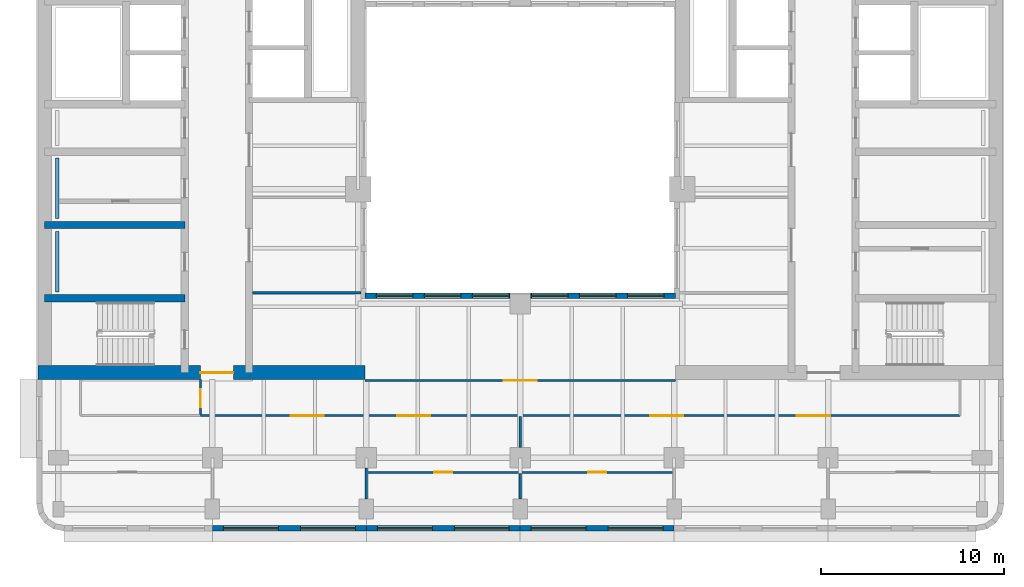
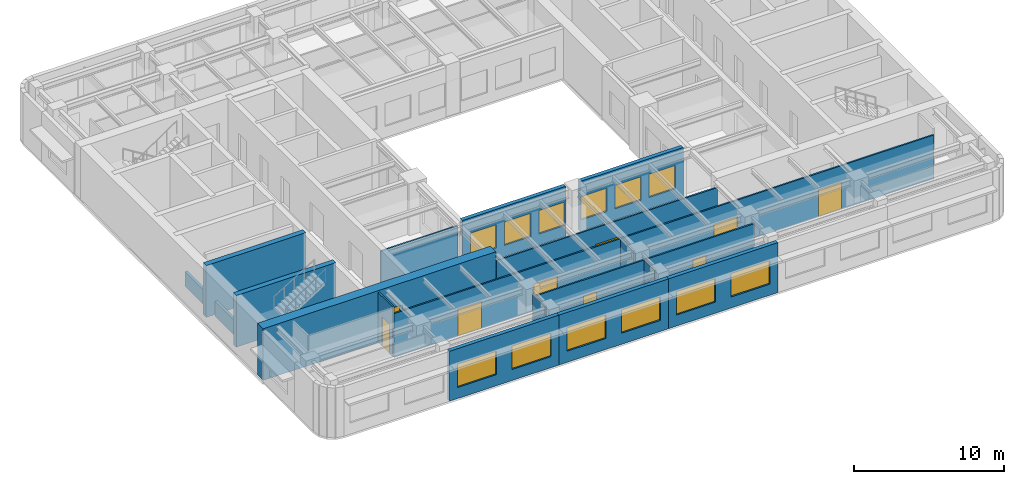
# One storey, part 3 of 11: 18 walls, 12 windows, 9 doors, 21 openings.
"""IFC4 building model written with IfcOpenShell, lengths in metres."""

from ifc_helpers import new_model, si_unit, direction, frame, frame_2d, origin, place, context, subcontext, project, spatial, rectangle, extrude, material, layer, layer_set, type_object, element, fill, save


model = new_model("IFC4")

# Units and contexts
model_context = context("Model", 3, precision=1e-05, world=origin(), true_north=direction((0.0, 1.0)))
body_context = subcontext(model_context, "Body", "Model", "MODEL_VIEW")
ifc_project = project(units=[si_unit("LENGTHUNIT", "METRE"), si_unit("AREAUNIT", "SQUARE_METRE"), si_unit("VOLUMEUNIT", "CUBIC_METRE"), si_unit("PLANEANGLEUNIT", "RADIAN"), si_unit("MASSUNIT", "GRAM", prefix="KILO")], contexts=[model_context])

# Site, building, storey
site_placement = place(None, origin())
site = spatial("IfcSite", under=ifc_project, at=site_placement, CompositionType="ELEMENT")
building_placement = place(site_placement, origin())
building = spatial("IfcBuilding", under=site, at=building_placement, Name="Claustro Exchange Tower", CompositionType="ELEMENT")
storey_placement = place(building_placement, frame((0.0, 0.0, 198.60009765625)))
storey = spatial("IfcBuildingStorey", under=building, at=storey_placement, Name="L45", CompositionType="ELEMENT", Elevation=198.60009765625)

# Wall
ifc_material_1 = material(Name="Laminated glass in aluminium frame", Category="aluminium")
ifc_layer_1 = layer(ifc_material_1, 0.1201171875)
ifc_layer_set_1 = layer_set([ifc_layer_1], Name="Laminated glass in aluminium frame")
wall_type_1 = type_object("IfcWallType", Name="P2 120 glazed partition", PredefinedType="PARTITIONING", material=ifc_layer_set_1)
wall_1_placement = place(storey_placement, frame((10.597900390625, 17.39990234375, 0.0), z_axis=(0.0, 0.0, 1.0), x_axis=(1.0, 0.0, 0.0)))
element("IfcWall", 1, at=wall_1_placement, inside=storey, type_object=wall_type_1, Name="Partition P2 L45", PredefinedType="PARTITIONING", context=body_context, shape_type="SweptSolid", body=[
    extrude(rectangle(XDim=5.904052734375, YDim=0.1201171875, at=frame_2d((2.9521484375, 0.0))), origin(), (0.0, 0.0, 1.0), 3.5498046875),
])

# Wall, openings, doors
wall_2_placement = place(storey_placement, frame((16.800048828125, 7.60009765625, 0.0), z_axis=(0.0, 0.0, 1.0), x_axis=(1.0, 0.0, 0.0)))
wall_2 = element("IfcWall", 2, at=wall_2_placement, inside=storey, type_object=wall_type_1, Name="Partition P2 L45", PredefinedType="PARTITIONING", context=body_context, shape_type="SweptSolid", body=[
    extrude(rectangle(XDim=16.800048828125, YDim=0.1201171875, at=frame_2d((8.39990234375, 0.0))), origin(), (0.0, 0.0, 1.0), 3.68994140625),
])
opening_1_placement = place(wall_2_placement, frame((3.699951171875, 0.0, 0.0)))
opening_1 = element("IfcOpeningElement", 3, at=opening_1_placement, cuts=wall_2, Name="Opening D7", PredefinedType="OPENING", context=body_context, shape_type="SweptSolid", body=[
    extrude(rectangle(XDim=1.0, YDim=2.39990234375, at=frame_2d((0.5, 1.199951171875))), frame((0.0, 0.070068359375, 0.0), z_axis=(0.0, -1.0, 0.0), x_axis=(1.0, 0.0, 0.0)), (0.0, 0.0, 1.0), 0.14013671875),
])
opening_2_placement = place(wall_2_placement, frame((12.10009765625, 0.0, 0.0)))
opening_2 = element("IfcOpeningElement", 4, at=opening_2_placement, cuts=wall_2, Name="Opening D7", PredefinedType="OPENING", context=body_context, shape_type="SweptSolid", body=[
    extrude(rectangle(XDim=1.0, YDim=2.39990234375, at=frame_2d((0.5, 1.199951171875))), frame((0.0, 0.070068359375, 0.0), z_axis=(0.0, -1.0, 0.0), x_axis=(1.0, 0.0, 0.0)), (0.0, 0.0, 1.0), 0.14013671875),
])
ifc_material_2 = material(Name="Glass door in aluminium frame", Category="aluminium")
door_type_1 = type_object("IfcDoorType", Name="D7 1000 x 2400 glazed door", OperationType="SINGLE_SWING_LEFT", PredefinedType="DOOR", material=ifc_material_2)
door_1_placement = place(opening_1_placement, frame((1.0, 0.0, 0.0), z_axis=(0.0, 0.0, 1.0), x_axis=(-1.0, 0.0, 0.0)))
door_1 = element("IfcDoor", 5, at=door_1_placement, inside=storey, type_object=door_type_1, Name="Door D7 L45", OperationType="SINGLE_SWING_LEFT", OverallHeight=2.39990234375, OverallWidth=1.0, PredefinedType="DOOR", context=body_context, shape_type="SweptSolid", body=[
    extrude(rectangle(XDim=1.0, YDim=2.39990234375, at=frame_2d((0.5, 1.199951171875))), frame((0.0, 0.02490234375, 0.0), z_axis=(0.0, -1.0, 0.0), x_axis=(1.0, 0.0, 0.0)), (0.0, 0.0, 1.0), 0.050048828125),
])
fill(opening_1, door_1)
door_2_placement = place(opening_2_placement, frame((1.0, 0.0, 0.0), z_axis=(0.0, 0.0, 1.0), x_axis=(-1.0, 0.0, 0.0)))
door_2 = element("IfcDoor", 6, at=door_2_placement, inside=storey, type_object=door_type_1, Name="Door D7 L45", OperationType="SINGLE_SWING_RIGHT", OverallHeight=2.39990234375, OverallWidth=1.0, PredefinedType="DOOR", context=body_context, shape_type="SweptSolid", body=[
    extrude(rectangle(XDim=1.0, YDim=2.39990234375, at=frame_2d((0.5, 1.199951171875))), frame((0.0, 0.02490234375, 0.0), z_axis=(0.0, -1.0, 0.0), x_axis=(1.0, 0.0, 0.0)), (0.0, 0.0, 1.0), 0.050048828125),
])
fill(opening_2, door_2)

# Walls
wall_3_placement = place(storey_placement, frame((16.800048828125, 6.14892578125, 0.0), z_axis=(0.0, 0.0, 1.0), x_axis=(0.0, 1.0, 0.0)))
element("IfcWall", 7, at=wall_3_placement, inside=storey, type_object=wall_type_1, Name="Partition P2 L45", PredefinedType="PARTITIONING", context=body_context, shape_type="SweptSolid", body=[
    extrude(rectangle(XDim=1.703125, YDim=0.1201171875, at=frame_2d((0.8515625, 0.0))), origin(), (0.0, 0.0, 1.0), 3.68994140625),
])
wall_4_placement = place(storey_placement, frame((25.199951171875, 6.14892578125, 0.0), z_axis=(0.0, 0.0, 1.0), x_axis=(0.0, 1.0, 0.0)))
element("IfcWall", 8, at=wall_4_placement, inside=storey, type_object=wall_type_1, Name="Partition P2 L45", PredefinedType="PARTITIONING", context=body_context, shape_type="SweptSolid", body=[
    extrude(rectangle(XDim=1.39306640625, YDim=0.1201171875, at=frame_2d((0.696533203125, 0.0))), origin(), (0.0, 0.0, 1.0), 3.68994140625),
])
wall_5_placement = place(storey_placement, frame((25.199951171875, 8.948974609375, 0.0), z_axis=(0.0, 0.0, 1.0), x_axis=(0.0, 1.0, 0.0)))
element("IfcWall", 9, at=wall_5_placement, inside=storey, type_object=wall_type_1, Name="Partition P2 L45", PredefinedType="PARTITIONING", context=body_context, shape_type="SweptSolid", body=[
    extrude(rectangle(XDim=1.693115234375, YDim=0.1201171875, at=frame_2d((0.8466796875, 0.0))), origin(), (0.0, 0.0, 1.0), 3.5498046875),
])

# Wall, openings, doors
wall_6_placement = place(storey_placement, frame((7.748046875, 10.699951171875, 0.0), z_axis=(0.0, 0.0, 1.0), x_axis=(1.0, 0.0, 0.0)))
wall_6 = element("IfcWall", 10, at=wall_6_placement, inside=storey, type_object=wall_type_1, Name="Partition P2 L45", PredefinedType="PARTITIONING", context=body_context, shape_type="SweptSolid", body=[
    extrude(rectangle(XDim=41.451904296875, YDim=0.1201171875, at=frame_2d((20.72607421875, 0.0))), origin(), (0.0, 0.0, 1.0), 3.5498046875),
])
opening_3_placement = place(wall_6_placement, frame((4.918701171875, 0.0, 0.0)))
opening_3 = element("IfcOpeningElement", 11, at=opening_3_placement, cuts=wall_6, Name="Opening D2", PredefinedType="OPENING", context=body_context, shape_type="SweptSolid", body=[
    extrude(rectangle(XDim=1.800048828125, YDim=2.199951171875, at=frame_2d((0.89990234375, 1.10009765625))), frame((0.0, 0.070068359375, 0.0), z_axis=(0.0, -1.0, 0.0), x_axis=(1.0, 0.0, 0.0)), (0.0, 0.0, 1.0), 0.14013671875),
])
opening_4_placement = place(wall_6_placement, frame((10.7353515625, 0.0, 0.0)))
opening_4 = element("IfcOpeningElement", 12, at=opening_4_placement, cuts=wall_6, Name="Opening D2", PredefinedType="OPENING", context=body_context, shape_type="SweptSolid", body=[
    extrude(rectangle(XDim=1.800048828125, YDim=2.199951171875, at=frame_2d((0.89990234375, 1.10009765625))), frame((0.0, 0.070068359375, 0.0), z_axis=(0.0, -1.0, 0.0), x_axis=(1.0, 0.0, 0.0)), (0.0, 0.0, 1.0), 0.14013671875),
])
opening_5_placement = place(wall_6_placement, frame((24.552001953125, 0.0, 0.0)))
opening_5 = element("IfcOpeningElement", 13, at=opening_5_placement, cuts=wall_6, Name="Opening D2", PredefinedType="OPENING", context=body_context, shape_type="SweptSolid", body=[
    extrude(rectangle(XDim=1.800048828125, YDim=2.199951171875, at=frame_2d((0.89990234375, 1.10009765625))), frame((0.0, 0.070068359375, 0.0), z_axis=(0.0, -1.0, 0.0), x_axis=(1.0, 0.0, 0.0)), (0.0, 0.0, 1.0), 0.14013671875),
])
opening_6_placement = place(wall_6_placement, frame((32.552001953125, 0.0, 0.0)))
opening_6 = element("IfcOpeningElement", 14, at=opening_6_placement, cuts=wall_6, Name="Opening D2", PredefinedType="OPENING", context=body_context, shape_type="SweptSolid", body=[
    extrude(rectangle(XDim=1.800048828125, YDim=2.199951171875, at=frame_2d((0.89990234375, 1.10009765625))), frame((0.0, 0.070068359375, 0.0), z_axis=(0.0, -1.0, 0.0), x_axis=(1.0, 0.0, 0.0)), (0.0, 0.0, 1.0), 0.14013671875),
])
ifc_material_3 = material(Name="Timber door, oak veneer", Category="wood")
door_type_2 = type_object("IfcDoorType", Name="D2 1800 x 2200 double door", OperationType="DOUBLE_DOOR_SINGLE_SWING", PredefinedType="DOOR", material=ifc_material_3)
door_3_placement = place(opening_3_placement, frame((1.800048828125, 0.0, 0.0), z_axis=(0.0, 0.0, 1.0), x_axis=(-1.0, 0.0, 0.0)))
door_3 = element("IfcDoor", 15, at=door_3_placement, inside=storey, type_object=door_type_2, Name="Double door D2 L45", OperationType="DOUBLE_DOOR_SINGLE_SWING", OverallHeight=2.199951171875, OverallWidth=1.800048828125, PredefinedType="DOOR", context=body_context, shape_type="SweptSolid", body=[
    extrude(rectangle(XDim=1.800048828125, YDim=2.199951171875, at=frame_2d((0.89990234375, 1.10009765625))), frame((0.0, 0.02490234375, 0.0), z_axis=(0.0, -1.0, 0.0), x_axis=(1.0, 0.0, 0.0)), (0.0, 0.0, 1.0), 0.050048828125),
])
fill(opening_3, door_3)
door_4_placement = place(opening_4_placement, frame((1.800048828125, 0.0, 0.0), z_axis=(0.0, 0.0, 1.0), x_axis=(-1.0, 0.0, 0.0)))
door_4 = element("IfcDoor", 16, at=door_4_placement, inside=storey, type_object=door_type_2, Name="Double door D2 L45", OperationType="DOUBLE_DOOR_SINGLE_SWING", OverallHeight=2.199951171875, OverallWidth=1.800048828125, PredefinedType="DOOR", context=body_context, shape_type="SweptSolid", body=[
    extrude(rectangle(XDim=1.800048828125, YDim=2.199951171875, at=frame_2d((0.89990234375, 1.10009765625))), frame((0.0, 0.02490234375, 0.0), z_axis=(0.0, -1.0, 0.0), x_axis=(1.0, 0.0, 0.0)), (0.0, 0.0, 1.0), 0.050048828125),
])
fill(opening_4, door_4)
door_5_placement = place(opening_5_placement, frame((1.800048828125, 0.0, 0.0), z_axis=(0.0, 0.0, 1.0), x_axis=(-1.0, 0.0, 0.0)))
door_5 = element("IfcDoor", 17, at=door_5_placement, inside=storey, type_object=door_type_2, Name="Double door D2 L45", OperationType="DOUBLE_DOOR_SINGLE_SWING", OverallHeight=2.199951171875, OverallWidth=1.800048828125, PredefinedType="DOOR", context=body_context, shape_type="SweptSolid", body=[
    extrude(rectangle(XDim=1.800048828125, YDim=2.199951171875, at=frame_2d((0.89990234375, 1.10009765625))), frame((0.0, 0.02490234375, 0.0), z_axis=(0.0, -1.0, 0.0), x_axis=(1.0, 0.0, 0.0)), (0.0, 0.0, 1.0), 0.050048828125),
])
fill(opening_5, door_5)
door_6_placement = place(opening_6_placement, frame((1.800048828125, 0.0, 0.0), z_axis=(0.0, 0.0, 1.0), x_axis=(-1.0, 0.0, 0.0)))
door_6 = element("IfcDoor", 18, at=door_6_placement, inside=storey, type_object=door_type_2, Name="Double door D2 L45", OperationType="DOUBLE_DOOR_SINGLE_SWING", OverallHeight=2.199951171875, OverallWidth=1.800048828125, PredefinedType="DOOR", context=body_context, shape_type="SweptSolid", body=[
    extrude(rectangle(XDim=1.800048828125, YDim=2.199951171875, at=frame_2d((0.89990234375, 1.10009765625))), frame((0.0, 0.02490234375, 0.0), z_axis=(0.0, -1.0, 0.0), x_axis=(1.0, 0.0, 0.0)), (0.0, 0.0, 1.0), 0.050048828125),
])
fill(opening_6, door_6)

# Wall, opening, door
wall_7_placement = place(storey_placement, frame((7.75, 10.758056640625, 0.0), z_axis=(0.0, 0.0, 1.0), x_axis=(0.0, 1.0, 0.0)))
wall_7 = element("IfcWall", 19, at=wall_7_placement, inside=storey, type_object=wall_type_1, Name="Partition P2 L45", PredefinedType="PARTITIONING", context=body_context, shape_type="SweptSolid", body=[
    extrude(rectangle(XDim=1.91796875, YDim=0.1201171875, at=frame_2d((0.958984375, 0.0))), origin(), (0.0, 0.0, 1.0), 4.0498046875),
])
opening_7_placement = place(wall_7_placement, frame((0.39208984375, 0.0, 0.0)))
opening_7 = element("IfcOpeningElement", 20, at=opening_7_placement, cuts=wall_7, Name="Opening D7", PredefinedType="OPENING", context=body_context, shape_type="SweptSolid", body=[
    extrude(rectangle(XDim=1.0, YDim=2.39990234375, at=frame_2d((0.5, 1.199951171875))), frame((0.0, 0.070068359375, 0.0), z_axis=(0.0, -1.0, 0.0), x_axis=(1.0, 0.0, 0.0)), (0.0, 0.0, 1.0), 0.14013671875),
])
door_7_placement = place(opening_7_placement, origin())
door_7 = element("IfcDoor", 21, at=door_7_placement, inside=storey, type_object=door_type_1, Name="Door D7 L45", OperationType="SINGLE_SWING_LEFT", OverallHeight=2.39990234375, OverallWidth=1.0, PredefinedType="DOOR", context=body_context, shape_type="SweptSolid", body=[
    extrude(rectangle(XDim=1.0, YDim=2.39990234375, at=frame_2d((0.5, 1.199951171875))), frame((0.0, 0.02490234375, 0.0), z_axis=(0.0, -1.0, 0.0), x_axis=(1.0, 0.0, 0.0)), (0.0, 0.0, 1.0), 0.050048828125),
])
fill(opening_7, door_7)

wall_8_placement = place(storey_placement, frame((16.72509765625, 12.614990234375, 0.0), z_axis=(0.0, 0.0, 1.0), x_axis=(1.0, 0.0, 0.0)))
wall_8 = element("IfcWall", 22, at=wall_8_placement, inside=storey, type_object=wall_type_1, Name="Partition P2 L45", PredefinedType="PARTITIONING", context=body_context, shape_type="SweptSolid", body=[
    extrude(rectangle(XDim=16.949951171875, YDim=0.1201171875, at=frame_2d((8.47509765625, 0.0))), origin(), (0.0, 0.0, 1.0), 3.5498046875),
])
opening_8_placement = place(wall_8_placement, frame((7.574951171875, 0.0, 0.0)))
opening_8 = element("IfcOpeningElement", 23, at=opening_8_placement, cuts=wall_8, Name="Opening D2", PredefinedType="OPENING", context=body_context, shape_type="SweptSolid", body=[
    extrude(rectangle(XDim=1.800048828125, YDim=2.199951171875, at=frame_2d((0.89990234375, 1.10009765625))), frame((0.0, 0.070068359375, 0.0), z_axis=(0.0, -1.0, 0.0), x_axis=(1.0, 0.0, 0.0)), (0.0, 0.0, 1.0), 0.14013671875),
])
door_8_placement = place(opening_8_placement, origin())
door_8 = element("IfcDoor", 24, at=door_8_placement, inside=storey, type_object=door_type_2, Name="Double door D2 L45", OperationType="DOUBLE_DOOR_SINGLE_SWING", OverallHeight=2.199951171875, OverallWidth=1.800048828125, PredefinedType="DOOR", context=body_context, shape_type="SweptSolid", body=[
    extrude(rectangle(XDim=1.800048828125, YDim=2.199951171875, at=frame_2d((0.89990234375, 1.10009765625))), frame((0.0, 0.02490234375, 0.0), z_axis=(0.0, -1.0, 0.0), x_axis=(1.0, 0.0, 0.0)), (0.0, 0.0, 1.0), 0.050048828125),
])
fill(opening_8, door_8)

# Wall, openings, windows
ifc_material_4 = material(Name="Concrete HA-40 (C40/50), precast, white cement, acid-etched", Category="concrete")
ifc_layer_2 = layer(ifc_material_4, 0.300048828125)
ifc_layer_set_2 = layer_set([ifc_layer_2], Name="Concrete HA-40 (C40/50), precast, white cement, acid-etched")
wall_type_2 = type_object("IfcWallType", Name="PC1 300 precast concrete pier panel", PredefinedType="SOLIDWALL", material=ifc_layer_set_2)
wall_9_placement = place(storey_placement, frame((33.60009765625, 4.550048828125, 0.0), z_axis=(0.0, 0.0, 1.0), x_axis=(-1.0, 0.0, 0.0)))
wall_9 = element("IfcWall", 25, at=wall_9_placement, inside=storey, type_object=wall_type_2, Name="Precast pier panel PC1 L45", PredefinedType="SOLIDWALL", context=body_context, shape_type="SweptSolid", body=[
    extrude(rectangle(XDim=8.400146484375, YDim=0.300048828125, at=frame_2d((4.2001953125, 0.0))), origin(), (0.0, 0.0, 1.0), 4.0498046875),
])
opening_9_placement = place(wall_9_placement, frame((0.60009765625, 0.0, 0.89990234375)))
opening_9 = element("IfcOpeningElement", 26, at=opening_9_placement, cuts=wall_9, Name="Opening W1", PredefinedType="OPENING", context=body_context, shape_type="SweptSolid", body=[
    extrude(rectangle(XDim=3.0, YDim=1.89990234375, at=frame_2d((1.5, 0.949951171875))), frame((0.0, 0.159912109375, 0.0), z_axis=(0.0, -1.0, 0.0), x_axis=(1.0, 0.0, 0.0)), (0.0, 0.0, 1.0), 0.320068359375),
])
opening_10_placement = place(wall_9_placement, frame((4.800048828125, 0.0, 0.89990234375)))
opening_10 = element("IfcOpeningElement", 27, at=opening_10_placement, cuts=wall_9, Name="Opening W1", PredefinedType="OPENING", context=body_context, shape_type="SweptSolid", body=[
    extrude(rectangle(XDim=3.0, YDim=1.89990234375, at=frame_2d((1.5, 0.949951171875))), frame((0.0, 0.159912109375, 0.0), z_axis=(0.0, -1.0, 0.0), x_axis=(1.0, 0.0, 0.0)), (0.0, 0.0, 1.0), 0.320068359375),
])
ifc_material_5 = material(Name="Aluminium frame, clear double glazing", Category="aluminium")
window_type_1 = type_object("IfcWindowType", Name="W1 3000 x 1900 window", PartitioningType="SINGLE_PANEL", PredefinedType="WINDOW", material=ifc_material_5)
window_1_placement = place(opening_9_placement, origin())
window_1 = element("IfcWindow", 28, at=window_1_placement, inside=storey, type_object=window_type_1, Name="Window W1 L45", OverallHeight=1.89990234375, OverallWidth=3.0, PartitioningType="SINGLE_PANEL", PredefinedType="WINDOW", context=body_context, shape_type="SweptSolid", body=[
    extrude(rectangle(XDim=3.0, YDim=1.89990234375, at=frame_2d((1.5, 0.949951171875))), frame((0.0, 0.030029296875, 0.0), z_axis=(0.0, -1.0, 0.0), x_axis=(1.0, 0.0, 0.0)), (0.0, 0.0, 1.0), 0.06005859375),
])
fill(opening_9, window_1)
window_2_placement = place(opening_10_placement, origin())
window_2 = element("IfcWindow", 29, at=window_2_placement, inside=storey, type_object=window_type_1, Name="Window W1 L45", OverallHeight=1.89990234375, OverallWidth=3.0, PartitioningType="SINGLE_PANEL", PredefinedType="WINDOW", context=body_context, shape_type="SweptSolid", body=[
    extrude(rectangle(XDim=3.0, YDim=1.89990234375, at=frame_2d((1.5, 0.949951171875))), frame((0.0, 0.030029296875, 0.0), z_axis=(0.0, -1.0, 0.0), x_axis=(1.0, 0.0, 0.0)), (0.0, 0.0, 1.0), 0.06005859375),
])
fill(opening_10, window_2)

wall_10_placement = place(storey_placement, frame((25.199951171875, 4.550048828125, 0.0), z_axis=(0.0, 0.0, 1.0), x_axis=(-1.0, 0.0, 0.0)))
wall_10 = element("IfcWall", 30, at=wall_10_placement, inside=storey, type_object=wall_type_2, Name="Precast pier panel PC1 L45", PredefinedType="SOLIDWALL", context=body_context, shape_type="SweptSolid", body=[
    extrude(rectangle(XDim=8.39990234375, YDim=0.300048828125, at=frame_2d((4.199951171875, 0.0))), origin(), (0.0, 0.0, 1.0), 4.0498046875),
])
opening_11_placement = place(wall_10_placement, frame((0.60009765625, 0.0, 0.89990234375)))
opening_11 = element("IfcOpeningElement", 31, at=opening_11_placement, cuts=wall_10, Name="Opening W1", PredefinedType="OPENING", context=body_context, shape_type="SweptSolid", body=[
    extrude(rectangle(XDim=3.0, YDim=1.89990234375, at=frame_2d((1.5, 0.949951171875))), frame((0.0, 0.159912109375, 0.0), z_axis=(0.0, -1.0, 0.0), x_axis=(1.0, 0.0, 0.0)), (0.0, 0.0, 1.0), 0.320068359375),
])
opening_12_placement = place(wall_10_placement, frame((4.800048828125, 0.0, 0.89990234375)))
opening_12 = element("IfcOpeningElement", 32, at=opening_12_placement, cuts=wall_10, Name="Opening W1", PredefinedType="OPENING", context=body_context, shape_type="SweptSolid", body=[
    extrude(rectangle(XDim=3.0, YDim=1.89990234375, at=frame_2d((1.5, 0.949951171875))), frame((0.0, 0.159912109375, 0.0), z_axis=(0.0, -1.0, 0.0), x_axis=(1.0, 0.0, 0.0)), (0.0, 0.0, 1.0), 0.320068359375),
])
window_3_placement = place(opening_11_placement, origin())
window_3 = element("IfcWindow", 33, at=window_3_placement, inside=storey, type_object=window_type_1, Name="Window W1 L45", OverallHeight=1.89990234375, OverallWidth=3.0, PartitioningType="SINGLE_PANEL", PredefinedType="WINDOW", context=body_context, shape_type="SweptSolid", body=[
    extrude(rectangle(XDim=3.0, YDim=1.89990234375, at=frame_2d((1.5, 0.949951171875))), frame((0.0, 0.030029296875, 0.0), z_axis=(0.0, -1.0, 0.0), x_axis=(1.0, 0.0, 0.0)), (0.0, 0.0, 1.0), 0.06005859375),
])
fill(opening_11, window_3)
window_4_placement = place(opening_12_placement, origin())
window_4 = element("IfcWindow", 34, at=window_4_placement, inside=storey, type_object=window_type_1, Name="Window W1 L45", OverallHeight=1.89990234375, OverallWidth=3.0, PartitioningType="SINGLE_PANEL", PredefinedType="WINDOW", context=body_context, shape_type="SweptSolid", body=[
    extrude(rectangle(XDim=3.0, YDim=1.89990234375, at=frame_2d((1.5, 0.949951171875))), frame((0.0, 0.030029296875, 0.0), z_axis=(0.0, -1.0, 0.0), x_axis=(1.0, 0.0, 0.0)), (0.0, 0.0, 1.0), 0.06005859375),
])
fill(opening_12, window_4)

wall_11_placement = place(storey_placement, frame((16.800048828125, 4.550048828125, 0.0), z_axis=(0.0, 0.0, 1.0), x_axis=(-1.0, 0.0, 0.0)))
wall_11 = element("IfcWall", 35, at=wall_11_placement, inside=storey, type_object=wall_type_2, Name="Precast pier panel PC1 L45", PredefinedType="SOLIDWALL", context=body_context, shape_type="SweptSolid", body=[
    extrude(rectangle(XDim=8.400146484375, YDim=0.300048828125, at=frame_2d((4.2001953125, 0.0))), origin(), (0.0, 0.0, 1.0), 4.0498046875),
])
opening_13_placement = place(wall_11_placement, frame((0.60009765625, 0.0, 0.89990234375)))
opening_13 = element("IfcOpeningElement", 36, at=opening_13_placement, cuts=wall_11, Name="Opening W1", PredefinedType="OPENING", context=body_context, shape_type="SweptSolid", body=[
    extrude(rectangle(XDim=3.0, YDim=1.89990234375, at=frame_2d((1.5, 0.949951171875))), frame((0.0, 0.159912109375, 0.0), z_axis=(0.0, -1.0, 0.0), x_axis=(1.0, 0.0, 0.0)), (0.0, 0.0, 1.0), 0.320068359375),
])
opening_14_placement = place(wall_11_placement, frame((4.800048828125, 0.0, 0.89990234375)))
opening_14 = element("IfcOpeningElement", 37, at=opening_14_placement, cuts=wall_11, Name="Opening W1", PredefinedType="OPENING", context=body_context, shape_type="SweptSolid", body=[
    extrude(rectangle(XDim=3.0, YDim=1.89990234375, at=frame_2d((1.5, 0.949951171875))), frame((0.0, 0.159912109375, 0.0), z_axis=(0.0, -1.0, 0.0), x_axis=(1.0, 0.0, 0.0)), (0.0, 0.0, 1.0), 0.320068359375),
])
window_5_placement = place(opening_13_placement, origin())
window_5 = element("IfcWindow", 38, at=window_5_placement, inside=storey, type_object=window_type_1, Name="Window W1 L45", OverallHeight=1.89990234375, OverallWidth=3.0, PartitioningType="SINGLE_PANEL", PredefinedType="WINDOW", context=body_context, shape_type="SweptSolid", body=[
    extrude(rectangle(XDim=3.0, YDim=1.89990234375, at=frame_2d((1.5, 0.949951171875))), frame((0.0, 0.030029296875, 0.0), z_axis=(0.0, -1.0, 0.0), x_axis=(1.0, 0.0, 0.0)), (0.0, 0.0, 1.0), 0.06005859375),
])
fill(opening_13, window_5)
window_6_placement = place(opening_14_placement, origin())
window_6 = element("IfcWindow", 39, at=window_6_placement, inside=storey, type_object=window_type_1, Name="Window W1 L45", OverallHeight=1.89990234375, OverallWidth=3.0, PartitioningType="SINGLE_PANEL", PredefinedType="WINDOW", context=body_context, shape_type="SweptSolid", body=[
    extrude(rectangle(XDim=3.0, YDim=1.89990234375, at=frame_2d((1.5, 0.949951171875))), frame((0.0, 0.030029296875, 0.0), z_axis=(0.0, -1.0, 0.0), x_axis=(1.0, 0.0, 0.0)), (0.0, 0.0, 1.0), 0.06005859375),
])
fill(opening_14, window_6)

wall_12_placement = place(storey_placement, frame((16.72509765625, 17.25, 0.0), z_axis=(0.0, 0.0, 1.0), x_axis=(1.0, 0.0, 0.0)))
wall_12 = element("IfcWall", 40, at=wall_12_placement, inside=storey, type_object=wall_type_2, Name="Precast pier panel PC1 L45", PredefinedType="SOLIDWALL", context=body_context, shape_type="SweptSolid", body=[
    extrude(rectangle(XDim=7.9248046875, YDim=0.300048828125, at=frame_2d((3.96240234375, 0.0))), origin(), (0.0, 0.0, 1.0), 4.0498046875),
])
opening_15_placement = place(wall_12_placement, frame((0.61865234375, 0.0, 0.89990234375)))
opening_15 = element("IfcOpeningElement", 41, at=opening_15_placement, cuts=wall_12, Name="Opening W4", PredefinedType="OPENING", context=body_context, shape_type="SweptSolid", body=[
    extrude(rectangle(XDim=2.0, YDim=1.89990234375, at=frame_2d((1.0, 0.949951171875))), frame((0.0, 0.159912109375, 0.0), z_axis=(0.0, -1.0, 0.0), x_axis=(1.0, 0.0, 0.0)), (0.0, 0.0, 1.0), 0.320068359375),
])
opening_16_placement = place(wall_12_placement, frame((3.237548828125, 0.0, 0.89990234375)))
opening_16 = element("IfcOpeningElement", 42, at=opening_16_placement, cuts=wall_12, Name="Opening W4", PredefinedType="OPENING", context=body_context, shape_type="SweptSolid", body=[
    extrude(rectangle(XDim=2.0, YDim=1.89990234375, at=frame_2d((1.0, 0.949951171875))), frame((0.0, 0.159912109375, 0.0), z_axis=(0.0, -1.0, 0.0), x_axis=(1.0, 0.0, 0.0)), (0.0, 0.0, 1.0), 0.320068359375),
])
opening_17_placement = place(wall_12_placement, frame((5.856201171875, 0.0, 0.89990234375)))
opening_17 = element("IfcOpeningElement", 43, at=opening_17_placement, cuts=wall_12, Name="Opening W4", PredefinedType="OPENING", context=body_context, shape_type="SweptSolid", body=[
    extrude(rectangle(XDim=2.0, YDim=1.89990234375, at=frame_2d((1.0, 0.949951171875))), frame((0.0, 0.159912109375, 0.0), z_axis=(0.0, -1.0, 0.0), x_axis=(1.0, 0.0, 0.0)), (0.0, 0.0, 1.0), 0.320068359375),
])
ifc_material_6 = material(Name="Aluminium frame, clear double glazing", Category="aluminium")
window_type_2 = type_object("IfcWindowType", Name="W4 2000 x 1900 light well window", PartitioningType="SINGLE_PANEL", PredefinedType="WINDOW", material=ifc_material_6)
window_7_placement = place(opening_15_placement, origin())
window_7 = element("IfcWindow", 44, at=window_7_placement, inside=storey, type_object=window_type_2, Name="Window W4 L45", OverallHeight=1.89990234375, OverallWidth=2.0, PartitioningType="SINGLE_PANEL", PredefinedType="WINDOW", context=body_context, shape_type="SweptSolid", body=[
    extrude(rectangle(XDim=2.0, YDim=1.89990234375, at=frame_2d((1.0, 0.949951171875))), frame((0.0, 0.030029296875, 0.0), z_axis=(0.0, -1.0, 0.0), x_axis=(1.0, 0.0, 0.0)), (0.0, 0.0, 1.0), 0.06005859375),
])
fill(opening_15, window_7)
window_8_placement = place(opening_16_placement, origin())
window_8 = element("IfcWindow", 45, at=window_8_placement, inside=storey, type_object=window_type_2, Name="Window W4 L45", OverallHeight=1.89990234375, OverallWidth=2.0, PartitioningType="SINGLE_PANEL", PredefinedType="WINDOW", context=body_context, shape_type="SweptSolid", body=[
    extrude(rectangle(XDim=2.0, YDim=1.89990234375, at=frame_2d((1.0, 0.949951171875))), frame((0.0, 0.030029296875, 0.0), z_axis=(0.0, -1.0, 0.0), x_axis=(1.0, 0.0, 0.0)), (0.0, 0.0, 1.0), 0.06005859375),
])
fill(opening_16, window_8)
window_9_placement = place(opening_17_placement, origin())
window_9 = element("IfcWindow", 46, at=window_9_placement, inside=storey, type_object=window_type_2, Name="Window W4 L45", OverallHeight=1.89990234375, OverallWidth=2.0, PartitioningType="SINGLE_PANEL", PredefinedType="WINDOW", context=body_context, shape_type="SweptSolid", body=[
    extrude(rectangle(XDim=2.0, YDim=1.89990234375, at=frame_2d((1.0, 0.949951171875))), frame((0.0, 0.030029296875, 0.0), z_axis=(0.0, -1.0, 0.0), x_axis=(1.0, 0.0, 0.0)), (0.0, 0.0, 1.0), 0.06005859375),
])
fill(opening_17, window_9)

wall_13_placement = place(storey_placement, frame((25.75, 17.25, 0.0), z_axis=(0.0, 0.0, 1.0), x_axis=(1.0, 0.0, 0.0)))
wall_13 = element("IfcWall", 47, at=wall_13_placement, inside=storey, type_object=wall_type_2, Name="Precast pier panel PC1 L45", PredefinedType="SOLIDWALL", context=body_context, shape_type="SweptSolid", body=[
    extrude(rectangle(XDim=7.925048828125, YDim=0.300048828125, at=frame_2d((3.96240234375, 0.0))), origin(), (0.0, 0.0, 1.0), 4.0498046875),
])
opening_18_placement = place(wall_13_placement, frame((0.068603515625, 0.0, 0.89990234375)))
opening_18 = element("IfcOpeningElement", 48, at=opening_18_placement, cuts=wall_13, Name="Opening W4", PredefinedType="OPENING", context=body_context, shape_type="SweptSolid", body=[
    extrude(rectangle(XDim=2.0, YDim=1.89990234375, at=frame_2d((1.0, 0.949951171875))), frame((0.0, 0.159912109375, 0.0), z_axis=(0.0, -1.0, 0.0), x_axis=(1.0, 0.0, 0.0)), (0.0, 0.0, 1.0), 0.320068359375),
])
opening_19_placement = place(wall_13_placement, frame((2.6875, 0.0, 0.89990234375)))
opening_19 = element("IfcOpeningElement", 49, at=opening_19_placement, cuts=wall_13, Name="Opening W4", PredefinedType="OPENING", context=body_context, shape_type="SweptSolid", body=[
    extrude(rectangle(XDim=2.0, YDim=1.89990234375, at=frame_2d((1.0, 0.949951171875))), frame((0.0, 0.159912109375, 0.0), z_axis=(0.0, -1.0, 0.0), x_axis=(1.0, 0.0, 0.0)), (0.0, 0.0, 1.0), 0.320068359375),
])
opening_20_placement = place(wall_13_placement, frame((5.30615234375, 0.0, 0.89990234375)))
opening_20 = element("IfcOpeningElement", 50, at=opening_20_placement, cuts=wall_13, Name="Opening W4", PredefinedType="OPENING", context=body_context, shape_type="SweptSolid", body=[
    extrude(rectangle(XDim=2.0, YDim=1.89990234375, at=frame_2d((1.0, 0.949951171875))), frame((0.0, 0.159912109375, 0.0), z_axis=(0.0, -1.0, 0.0), x_axis=(1.0, 0.0, 0.0)), (0.0, 0.0, 1.0), 0.320068359375),
])
window_10_placement = place(opening_18_placement, origin())
window_10 = element("IfcWindow", 51, at=window_10_placement, inside=storey, type_object=window_type_2, Name="Window W4 L45", OverallHeight=1.89990234375, OverallWidth=2.0, PartitioningType="SINGLE_PANEL", PredefinedType="WINDOW", context=body_context, shape_type="SweptSolid", body=[
    extrude(rectangle(XDim=2.0, YDim=1.89990234375, at=frame_2d((1.0, 0.949951171875))), frame((0.0, 0.030029296875, 0.0), z_axis=(0.0, -1.0, 0.0), x_axis=(1.0, 0.0, 0.0)), (0.0, 0.0, 1.0), 0.06005859375),
])
fill(opening_18, window_10)
window_11_placement = place(opening_19_placement, origin())
window_11 = element("IfcWindow", 52, at=window_11_placement, inside=storey, type_object=window_type_2, Name="Window W4 L45", OverallHeight=1.89990234375, OverallWidth=2.0, PartitioningType="SINGLE_PANEL", PredefinedType="WINDOW", context=body_context, shape_type="SweptSolid", body=[
    extrude(rectangle(XDim=2.0, YDim=1.89990234375, at=frame_2d((1.0, 0.949951171875))), frame((0.0, 0.030029296875, 0.0), z_axis=(0.0, -1.0, 0.0), x_axis=(1.0, 0.0, 0.0)), (0.0, 0.0, 1.0), 0.06005859375),
])
fill(opening_19, window_11)
window_12_placement = place(opening_20_placement, origin())
window_12 = element("IfcWindow", 53, at=window_12_placement, inside=storey, type_object=window_type_2, Name="Window W4 L45", OverallHeight=1.89990234375, OverallWidth=2.0, PartitioningType="SINGLE_PANEL", PredefinedType="WINDOW", context=body_context, shape_type="SweptSolid", body=[
    extrude(rectangle(XDim=2.0, YDim=1.89990234375, at=frame_2d((1.0, 0.949951171875))), frame((0.0, 0.030029296875, 0.0), z_axis=(0.0, -1.0, 0.0), x_axis=(1.0, 0.0, 0.0)), (0.0, 0.0, 1.0), 0.06005859375),
])
fill(opening_20, window_12)

# Walls
ifc_material_7 = material(Name="Gypsum board on steel studs, tiled", Category="steel")
ifc_layer_3 = layer(ifc_material_7, 0.199951171875)
ifc_layer_set_3 = layer_set([ifc_layer_3], Name="Gypsum board on steel studs, tiled")
wall_type_3 = type_object("IfcWallType", Name="PW1 200 WC duct wall", PredefinedType="PLUMBINGWALL", material=ifc_layer_set_3)
for number, where, z_axis, x_axis, name in (
    (54, (-0.074951171875, 17.449951171875, 0.0), (0.0, 0.0, 1.0), (0.0, 1.0, 0.0), "WC duct wall PW1 L45"),
    (55, (-0.074951171875, 21.449951171875, 0.0), (0.0, 0.0, 1.0), (0.0, 1.0, 0.0), "WC duct wall PW1 L45"),
):
    element("IfcWall", number, at=place(storey_placement, frame(where, z_axis=z_axis, x_axis=x_axis)), inside=storey, type_object=wall_type_3, Name=name, PredefinedType="PLUMBINGWALL", context=body_context, shape_type="SweptSolid", body=[
        extrude(rectangle(XDim=3.300048828125, YDim=0.199951171875, at=frame_2d((1.64990234375, 0.0))), origin(), (0.0, 0.0, 1.0), 1.199951171875),
    ])

# Wall, opening, door
ifc_material_8 = material(Name="Concrete HA-70 (C70/85)", Category="concrete")
ifc_layer_4 = layer(ifc_material_8, 0.75)
ifc_layer_set_4 = layer_set([ifc_layer_4], Name="Concrete HA-70 (C70/85)")
wall_type_4 = type_object("IfcWallType", Name="SW2 750 core shear wall", PredefinedType="SHEAR", material=ifc_layer_set_4)
wall_14_placement = place(storey_placement, frame((-1.125, 13.050048828125, 0.0), z_axis=(0.0, 0.0, 1.0), x_axis=(1.0, 0.0, 0.0)))
wall_14 = element("IfcWall", 56, at=wall_14_placement, inside=storey, type_object=wall_type_4, Name="Core wall SW2 W core S face L45", PredefinedType="SHEAR", context=body_context, shape_type="SweptSolid", body=[
    extrude(rectangle(XDim=17.85009765625, YDim=0.75, at=frame_2d((8.925048828125, 0.0))), origin(), (0.0, 0.0, 1.0), 4.199951171875),
])
opening_21_placement = place(wall_14_placement, frame((8.875, 0.0, 0.0)))
opening_21 = element("IfcOpeningElement", 57, at=opening_21_placement, cuts=wall_14, Name="Opening D3", PredefinedType="OPENING", context=body_context, shape_type="SweptSolid", body=[
    extrude(rectangle(XDim=1.800048828125, YDim=2.39990234375, at=frame_2d((0.89990234375, 1.199951171875))), frame((0.0, 0.385009765625, 0.0), z_axis=(0.0, -1.0, 0.0), x_axis=(1.0, 0.0, 0.0)), (0.0, 0.0, 1.0), 0.77001953125),
])
ifc_material_9 = material(Name="Steel fire door, painted", Category="steel")
door_type_3 = type_object("IfcDoorType", Name="D3 1800 x 2400 fire-rated lobby double door", OperationType="DOUBLE_DOOR_SINGLE_SWING", PredefinedType="DOOR", material=ifc_material_9)
door_9_placement = place(opening_21_placement, origin())
door_9 = element("IfcDoor", 58, at=door_9_placement, inside=storey, type_object=door_type_3, Name="Lift lobby door D3 L45", OperationType="DOUBLE_DOOR_SINGLE_SWING", OverallHeight=2.39990234375, OverallWidth=1.800048828125, PredefinedType="DOOR", context=body_context, shape_type="SweptSolid", body=[
    extrude(rectangle(XDim=1.800048828125, YDim=2.39990234375, at=frame_2d((0.89990234375, 1.199951171875))), frame((0.0, 0.02490234375, 0.0), z_axis=(0.0, -1.0, 0.0), x_axis=(1.0, 0.0, 0.0)), (0.0, 0.0, 1.0), 0.050048828125),
])
fill(opening_21, door_9)

# Walls
ifc_material_10 = material(Name="Concrete HA-50 (C50/60)", Category="concrete")
ifc_layer_5 = layer(ifc_material_10, 0.39990234375)
ifc_layer_set_5 = layer_set([ifc_layer_5], Name="Concrete HA-50 (C50/60)")
wall_type_5 = type_object("IfcWallType", Name="SW4 400 internal core wall", PredefinedType="SHEAR", material=ifc_layer_set_5)
for number, where, z_axis, x_axis, name in (
    (59, (-0.75, 17.10009765625, 0.0), (0.0, 0.0, 1.0), (1.0, 0.0, 0.0), "Internal core wall SW4 W core L45"),
    (60, (-0.75, 21.10009765625, 0.0), (0.0, 0.0, 1.0), (1.0, 0.0, 0.0), "Internal core wall SW4 W core L45"),
):
    element("IfcWall", number, at=place(storey_placement, frame(where, z_axis=z_axis, x_axis=x_axis)), inside=storey, type_object=wall_type_5, Name=name, PredefinedType="SHEAR", context=body_context, shape_type="SweptSolid", body=[
        extrude(rectangle(XDim=7.64990234375, YDim=0.39990234375, at=frame_2d((3.824951171875, 0.0))), origin(), (0.0, 0.0, 1.0), 4.199951171875),
    ])

save(model, "model.ifc")
